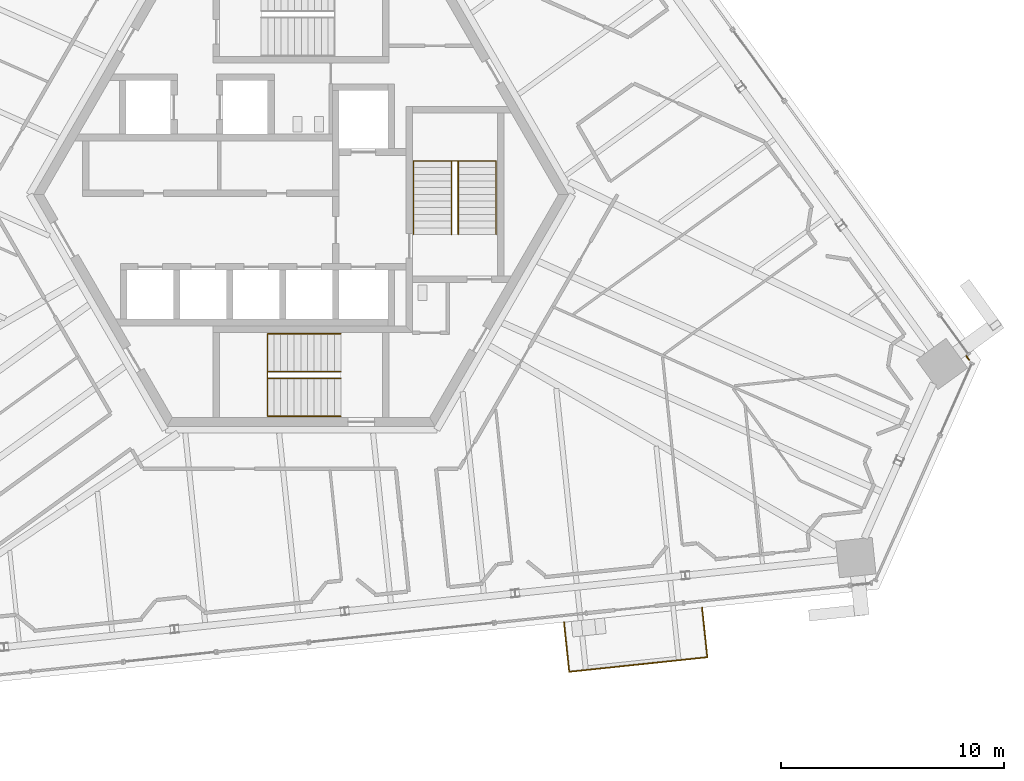
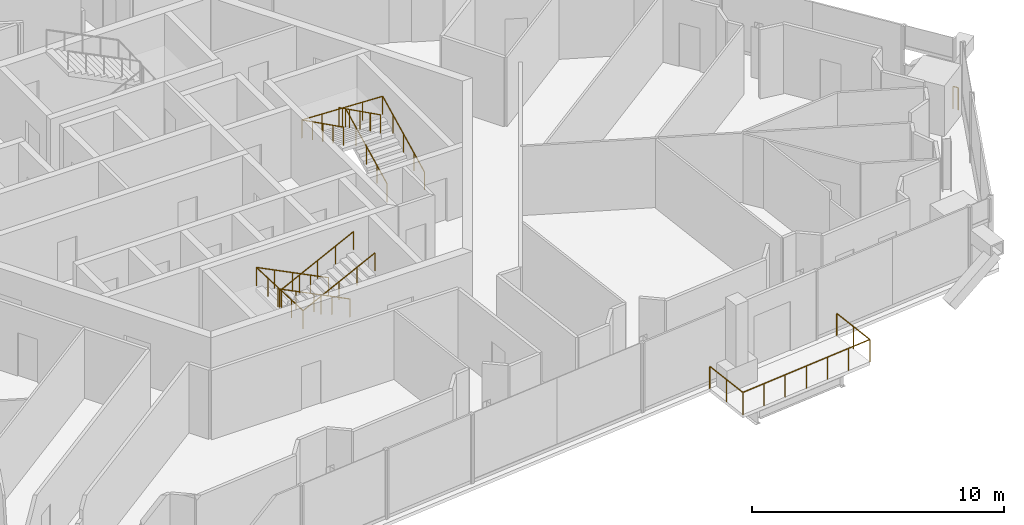
# One storey, part 22 of 26: 6 railings.
"""IFC4 building model written with IfcOpenShell, lengths in metres."""

from ifc_helpers import new_model, si_unit, direction, frame, origin, origin_2d, place, context, subcontext, project, spatial, circle, extrude, source, transform, mapped, material, type_object, element, save


model = new_model("IFC4")

# Units and contexts
model_context = context("Model", 3, precision=1e-05, world=origin(), true_north=direction((0.0, 1.0)))
body_context = subcontext(model_context, "Body", "Model", "MODEL_VIEW")
ifc_project = project(units=[si_unit("LENGTHUNIT", "METRE"), si_unit("AREAUNIT", "SQUARE_METRE"), si_unit("VOLUMEUNIT", "CUBIC_METRE"), si_unit("PLANEANGLEUNIT", "RADIAN"), si_unit("MASSUNIT", "GRAM", prefix="KILO")], contexts=[model_context])

# Site, building, storey
site_placement = place(None, origin())
site = spatial("IfcSite", under=ifc_project, at=site_placement, CompositionType="ELEMENT")
building_placement = place(site_placement, origin())
building = spatial("IfcBuilding", under=site, at=building_placement, Name="Triune Harvest Tower", CompositionType="ELEMENT")
storey_placement = place(building_placement, frame((0.0, 0.0, 252.10009765625)))
storey = spatial("IfcBuildingStorey", under=building, at=storey_placement, Name="L66", CompositionType="ELEMENT", Elevation=252.10009765625)

# Railings
ifc_material_1 = material(Name="Glass", Category="glass")
railing_type_1 = type_object("IfcRailingType", Name="GD-2 balcony guard 1100", PredefinedType="GUARDRAIL", material=ifc_material_1)
railing_1_placement = place(storey_placement, frame((11.791015625, -19.176025390625, 0.0)))
element("IfcRailing", 1, at=railing_1_placement, inside=storey, type_object=railing_type_1, Name="Balcony guard B6-F5 L66.9", PredefinedType="GUARDRAIL", context=body_context, shape_type="SweptSolid", body=[
    extrude(circle(Radius=0.02392578125, at=origin_2d()), frame((0.0, 0.0, 1.076171875), z_axis=(0.104565342096, -0.994518018556, 0.0), x_axis=(0.994518018556, 0.104565342096, 0.0)), (0.0, 0.0, 1.0), 2.234375),
    extrude(circle(Radius=0.02392578125, at=origin_2d()), frame((0.233642578125, -2.22216796875, 1.076171875), z_axis=(0.994522625436, 0.104521516908, 0.0), x_axis=(-0.104521516908, 0.994522625436, 0.0)), (0.0, 0.0, 1.0), 6.227294921875),
    extrude(circle(Radius=0.02392578125, at=origin_2d()), frame((6.4267578125, -1.5712890625, 1.076171875), z_axis=(-0.104553980762, 0.994519213041, 0.0), x_axis=(-0.994519213041, -0.104553980762, 0.0)), (0.0, 0.0, 1.0), 2.234619140625),
    extrude(circle(Radius=0.02099609375, at=origin_2d()), origin(), (0.0, 0.0, 1.0), 1.052001953125),
    extrude(circle(Radius=0.02099609375, at=origin_2d()), frame((0.11669921875, -1.111083984375, 0.0)), (0.0, 0.0, 1.0), 1.052001953125),
    extrude(circle(Radius=0.02099609375, at=origin_2d()), frame((0.233642578125, -2.22216796875, 0.0)), (0.0, 0.0, 1.0), 1.052001953125),
    extrude(circle(Radius=0.02099609375, at=origin_2d()), frame((1.265869140625, -2.11376953125, 0.0)), (0.0, 0.0, 1.0), 1.052001953125),
    extrude(circle(Radius=0.02099609375, at=origin_2d()), frame((2.298095703125, -2.005126953125, 0.0)), (0.0, 0.0, 1.0), 1.052001953125),
    extrude(circle(Radius=0.02099609375, at=origin_2d()), frame((3.330078125, -1.896728515625, 0.0)), (0.0, 0.0, 1.0), 1.052001953125),
    extrude(circle(Radius=0.02099609375, at=origin_2d()), frame((4.3623046875, -1.788330078125, 0.0)), (0.0, 0.0, 1.0), 1.052001953125),
    extrude(circle(Radius=0.02099609375, at=origin_2d()), frame((5.39453125, -1.6796875, 0.0)), (0.0, 0.0, 1.0), 1.052001953125),
    extrude(circle(Radius=0.02099609375, at=origin_2d()), frame((6.4267578125, -1.5712890625, 0.0)), (0.0, 0.0, 1.0), 1.052001953125),
    extrude(circle(Radius=0.02099609375, at=origin_2d()), frame((6.31005859375, -0.4599609375, 0.0)), (0.0, 0.0, 1.0), 1.052001953125),
    extrude(circle(Radius=0.02099609375, at=origin_2d()), frame((6.193115234375, 0.651123046875, 0.0)), (0.0, 0.0, 1.0), 1.052001953125),
])
ifc_material_2 = material(Name="Glass", Category="glass")
railing_type_2 = type_object("IfcRailingType", Name="GD-3 facade guard 1100", PredefinedType="GUARDRAIL", material=ifc_material_2)
railing_2_placement = place(storey_placement, frame((29.9619140625, -7.418212890625, 0.0)))
element("IfcRailing", 2, at=railing_2_placement, inside=storey, type_object=railing_type_2, Name="Facade guard B6-F1 L66.1.1", PredefinedType="GUARDRAIL", context=body_context, shape_type="SweptSolid", body=[
    extrude(circle(Radius=0.02392578125, at=origin_2d()), frame((0.0, 0.0, 1.076171875), z_axis=(-0.587531690955, 0.809201156773, 0.0), x_axis=(-0.809201156773, -0.587531690955, 0.0)), (0.0, 0.0, 1.0), 0.226806640625),
    extrude(circle(Radius=0.02099609375, at=origin_2d()), origin(), (0.0, 0.0, 1.0), 1.052001953125),
    extrude(circle(Radius=0.02099609375, at=origin_2d()), frame((-0.13330078125, 0.18359375, 0.0)), (0.0, 0.0, 1.0), 1.052001953125),
])
ifc_material_3 = material(Name="Stainless steel AISI 316", Category="steel")
railing_type_3 = type_object("IfcRailingType", Name="Stair handrail", PredefinedType="HANDRAIL", material=ifc_material_3)
shared_shape_1 = source(origin(), body_context, "Body", "SweptSolid", [
    extrude(circle(Radius=0.02392578125, at=origin_2d()), frame((0.0, 0.0, 0.8759765625), z_axis=(-0.894440424912, 0.0, 0.447187126696), x_axis=(0.0, -1.0, 0.0)), (0.0, 0.0, 1.0), 3.689453125),
    extrude(circle(Radius=0.02392578125, at=origin_2d()), frame((-3.300048828125, 0.0, 2.52587890625), z_axis=(0.0, -0.999177620331, 0.040547293732), x_axis=(1.0, 0.0, 0.0)), (0.0, 0.0, 1.0), 3.702880859375),
    extrude(circle(Radius=0.02392578125, at=origin_2d()), frame((-3.300048828125, -3.699951171875, 2.67578125), z_axis=(0.894440424912, 0.0, 0.447187126696), x_axis=(0.0, 1.0, 0.0)), (0.0, 0.0, 1.0), 3.689453125),
    extrude(circle(Radius=0.02099609375, at=origin_2d()), origin(), (0.0, 0.0, 1.0), 0.851806640625),
    extrude(circle(Radius=0.02099609375, at=origin_2d()), frame((-0.824951171875, 0.0, 0.41259765625)), (0.0, 0.0, 1.0), 0.851806640625),
    extrude(circle(Radius=0.02099609375, at=origin_2d()), frame((-1.64990234375, 0.0, 0.824951171875)), (0.0, 0.0, 1.0), 0.851806640625),
    extrude(circle(Radius=0.02099609375, at=origin_2d()), frame((-2.47509765625, 0.0, 1.2373046875)), (0.0, 0.0, 1.0), 0.851806640625),
    extrude(circle(Radius=0.02099609375, at=origin_2d()), frame((-3.300048828125, 0.0, 1.64990234375)), (0.0, 0.0, 1.0), 0.851806640625),
    extrude(circle(Radius=0.02099609375, at=origin_2d()), frame((-3.300048828125, -0.925048828125, 1.6875)), (0.0, 0.0, 1.0), 0.851806640625),
    extrude(circle(Radius=0.02099609375, at=origin_2d()), frame((-3.300048828125, -1.85009765625, 1.72509765625)), (0.0, 0.0, 1.0), 0.851806640625),
    extrude(circle(Radius=0.02099609375, at=origin_2d()), frame((-3.300048828125, -2.77490234375, 1.762451171875)), (0.0, 0.0, 1.0), 0.851806640625),
    extrude(circle(Radius=0.02099609375, at=origin_2d()), frame((-3.300048828125, -3.699951171875, 1.800048828125)), (0.0, 0.0, 1.0), 0.851806640625),
    extrude(circle(Radius=0.02099609375, at=origin_2d()), frame((-2.47509765625, -3.699951171875, 2.21240234375)), (0.0, 0.0, 1.0), 0.851806640625),
    extrude(circle(Radius=0.02099609375, at=origin_2d()), frame((-1.64990234375, -3.699951171875, 2.625)), (0.0, 0.0, 1.0), 0.851806640625),
    extrude(circle(Radius=0.02099609375, at=origin_2d()), frame((-0.824951171875, -3.699951171875, 3.03759765625)), (0.0, 0.0, 1.0), 0.851806640625),
    extrude(circle(Radius=0.02099609375, at=origin_2d()), frame((0.0, -3.699951171875, 3.449951171875)), (0.0, 0.0, 1.0), 0.851806640625),
])
railing_3_placement = place(storey_placement, frame((1.7900390625, -6.239990234375, 0.14990234375)))
element("IfcRailing", 3, at=railing_3_placement, inside=storey, type_object=railing_type_3, Name="Exit stair south wall handrail", PredefinedType="HANDRAIL", context=body_context, shape_type="MappedRepresentation", body=[
    mapped(shared_shape_1, transform((0.0, 0.0, 0.0), scale=1.0)),
])
shared_shape_2 = source(origin(), body_context, "Body", "SweptSolid", [
    extrude(circle(Radius=0.02392578125, at=origin_2d()), frame((0.0, 0.0, 0.8759765625), z_axis=(-0.894440424912, 0.0, 0.447187126696), x_axis=(0.0, -1.0, 0.0)), (0.0, 0.0, 1.0), 3.689453125),
    extrude(circle(Radius=0.02392578125, at=origin_2d()), frame((-3.300048828125, 0.0, 2.52587890625), z_axis=(0.0, -0.894281613681, 0.447504631744), x_axis=(1.0, 0.0, 0.0)), (0.0, 0.0, 1.0), 0.33544921875),
    extrude(circle(Radius=0.02392578125, at=origin_2d()), frame((-3.300048828125, -0.300048828125, 2.67578125), z_axis=(0.894440424912, 0.0, 0.447187126696), x_axis=(0.0, 1.0, 0.0)), (0.0, 0.0, 1.0), 3.689453125),
    extrude(circle(Radius=0.02099609375, at=origin_2d()), origin(), (0.0, 0.0, 1.0), 0.851806640625),
    extrude(circle(Radius=0.02099609375, at=origin_2d()), frame((-0.824951171875, 0.0, 0.41259765625)), (0.0, 0.0, 1.0), 0.851806640625),
    extrude(circle(Radius=0.02099609375, at=origin_2d()), frame((-1.64990234375, 0.0, 0.824951171875)), (0.0, 0.0, 1.0), 0.851806640625),
    extrude(circle(Radius=0.02099609375, at=origin_2d()), frame((-2.47509765625, 0.0, 1.2373046875)), (0.0, 0.0, 1.0), 0.851806640625),
    extrude(circle(Radius=0.02099609375, at=origin_2d()), frame((-3.300048828125, 0.0, 1.64990234375)), (0.0, 0.0, 1.0), 0.851806640625),
    extrude(circle(Radius=0.02099609375, at=origin_2d()), frame((-3.300048828125, -0.300048828125, 1.800048828125)), (0.0, 0.0, 1.0), 0.851806640625),
    extrude(circle(Radius=0.02099609375, at=origin_2d()), frame((-2.47509765625, -0.300048828125, 2.21240234375)), (0.0, 0.0, 1.0), 0.851806640625),
    extrude(circle(Radius=0.02099609375, at=origin_2d()), frame((-1.64990234375, -0.300048828125, 2.625)), (0.0, 0.0, 1.0), 0.851806640625),
    extrude(circle(Radius=0.02099609375, at=origin_2d()), frame((-0.824951171875, -0.300048828125, 3.03759765625)), (0.0, 0.0, 1.0), 0.851806640625),
    extrude(circle(Radius=0.02099609375, at=origin_2d()), frame((0.0, -0.300048828125, 3.449951171875)), (0.0, 0.0, 1.0), 0.851806640625),
])
railing_4_placement = place(storey_placement, frame((1.7900390625, -7.93994140625, 0.14990234375)))
element("IfcRailing", 4, at=railing_4_placement, inside=storey, type_object=railing_type_3, Name="Exit stair south centre handrail", PredefinedType="HANDRAIL", context=body_context, shape_type="MappedRepresentation", body=[
    mapped(shared_shape_2, transform((0.0, 0.0, 0.0), scale=1.0)),
])
shared_shape_3 = source(origin(), body_context, "Body", "SweptSolid", [
    extrude(circle(Radius=0.02392578125, at=origin_2d()), frame((0.0, 0.0, 0.8759765625), z_axis=(0.0, 0.894440424912, 0.447187126696), x_axis=(-1.0, 0.0, 0.0)), (0.0, 0.0, 1.0), 3.689453125),
    extrude(circle(Radius=0.02392578125, at=origin_2d()), frame((0.0, 3.300048828125, 2.52587890625), z_axis=(-0.999177620331, 0.0, 0.040547293732), x_axis=(0.0, -1.0, 0.0)), (0.0, 0.0, 1.0), 3.702880859375),
    extrude(circle(Radius=0.02392578125, at=origin_2d()), frame((-3.699951171875, 3.300048828125, 2.67578125), z_axis=(0.0, -0.894440424912, 0.447187126696), x_axis=(1.0, 0.0, 0.0)), (0.0, 0.0, 1.0), 3.689453125),
    extrude(circle(Radius=0.02099609375, at=origin_2d()), origin(), (0.0, 0.0, 1.0), 0.851806640625),
    extrude(circle(Radius=0.02099609375, at=origin_2d()), frame((0.0, 0.824951171875, 0.41259765625)), (0.0, 0.0, 1.0), 0.851806640625),
    extrude(circle(Radius=0.02099609375, at=origin_2d()), frame((0.0, 1.64990234375, 0.824951171875)), (0.0, 0.0, 1.0), 0.851806640625),
    extrude(circle(Radius=0.02099609375, at=origin_2d()), frame((0.0, 2.47509765625, 1.2373046875)), (0.0, 0.0, 1.0), 0.851806640625),
    extrude(circle(Radius=0.02099609375, at=origin_2d()), frame((0.0, 3.300048828125, 1.64990234375)), (0.0, 0.0, 1.0), 0.851806640625),
    extrude(circle(Radius=0.02099609375, at=origin_2d()), frame((-0.925048828125, 3.300048828125, 1.6875)), (0.0, 0.0, 1.0), 0.851806640625),
    extrude(circle(Radius=0.02099609375, at=origin_2d()), frame((-1.85009765625, 3.300048828125, 1.72509765625)), (0.0, 0.0, 1.0), 0.851806640625),
    extrude(circle(Radius=0.02099609375, at=origin_2d()), frame((-2.77490234375, 3.300048828125, 1.762451171875)), (0.0, 0.0, 1.0), 0.851806640625),
    extrude(circle(Radius=0.02099609375, at=origin_2d()), frame((-3.699951171875, 3.300048828125, 1.800048828125)), (0.0, 0.0, 1.0), 0.851806640625),
    extrude(circle(Radius=0.02099609375, at=origin_2d()), frame((-3.699951171875, 2.47509765625, 2.21240234375)), (0.0, 0.0, 1.0), 0.851806640625),
    extrude(circle(Radius=0.02099609375, at=origin_2d()), frame((-3.699951171875, 1.64990234375, 2.625)), (0.0, 0.0, 1.0), 0.851806640625),
    extrude(circle(Radius=0.02099609375, at=origin_2d()), frame((-3.699951171875, 0.824951171875, 3.03759765625)), (0.0, 0.0, 1.0), 0.851806640625),
    extrude(circle(Radius=0.02099609375, at=origin_2d()), frame((-3.699951171875, 0.0, 3.449951171875)), (0.0, 0.0, 1.0), 0.851806640625),
])
railing_5_placement = place(storey_placement, frame((8.75, -1.7900390625, 0.14990234375)))
element("IfcRailing", 5, at=railing_5_placement, inside=storey, type_object=railing_type_3, Name="Exit stair east wall handrail", PredefinedType="HANDRAIL", context=body_context, shape_type="MappedRepresentation", body=[
    mapped(shared_shape_3, transform((0.0, 0.0, 0.0), scale=1.0)),
])
shared_shape_4 = source(origin(), body_context, "Body", "SweptSolid", [
    extrude(circle(Radius=0.02392578125, at=origin_2d()), frame((0.0, 0.0, 0.8759765625), z_axis=(0.0, 0.894440424912, 0.447187126696), x_axis=(-1.0, 0.0, 0.0)), (0.0, 0.0, 1.0), 3.689453125),
    extrude(circle(Radius=0.02392578125, at=origin_2d()), frame((0.0, 3.300048828125, 2.52587890625), z_axis=(-0.894281613681, 0.0, 0.447504631744), x_axis=(0.0, -1.0, 0.0)), (0.0, 0.0, 1.0), 0.33544921875),
    extrude(circle(Radius=0.02392578125, at=origin_2d()), frame((-0.300048828125, 3.300048828125, 2.67578125), z_axis=(0.0, -0.894440424912, 0.447187126696), x_axis=(1.0, 0.0, 0.0)), (0.0, 0.0, 1.0), 3.689453125),
    extrude(circle(Radius=0.02099609375, at=origin_2d()), origin(), (0.0, 0.0, 1.0), 0.851806640625),
    extrude(circle(Radius=0.02099609375, at=origin_2d()), frame((0.0, 0.824951171875, 0.41259765625)), (0.0, 0.0, 1.0), 0.851806640625),
    extrude(circle(Radius=0.02099609375, at=origin_2d()), frame((0.0, 1.64990234375, 0.824951171875)), (0.0, 0.0, 1.0), 0.851806640625),
    extrude(circle(Radius=0.02099609375, at=origin_2d()), frame((0.0, 2.47509765625, 1.2373046875)), (0.0, 0.0, 1.0), 0.851806640625),
    extrude(circle(Radius=0.02099609375, at=origin_2d()), frame((0.0, 3.300048828125, 1.64990234375)), (0.0, 0.0, 1.0), 0.851806640625),
    extrude(circle(Radius=0.02099609375, at=origin_2d()), frame((-0.300048828125, 3.300048828125, 1.800048828125)), (0.0, 0.0, 1.0), 0.851806640625),
    extrude(circle(Radius=0.02099609375, at=origin_2d()), frame((-0.300048828125, 2.47509765625, 2.21240234375)), (0.0, 0.0, 1.0), 0.851806640625),
    extrude(circle(Radius=0.02099609375, at=origin_2d()), frame((-0.300048828125, 1.64990234375, 2.625)), (0.0, 0.0, 1.0), 0.851806640625),
    extrude(circle(Radius=0.02099609375, at=origin_2d()), frame((-0.300048828125, 0.824951171875, 3.03759765625)), (0.0, 0.0, 1.0), 0.851806640625),
    extrude(circle(Radius=0.02099609375, at=origin_2d()), frame((-0.300048828125, 0.0, 3.449951171875)), (0.0, 0.0, 1.0), 0.851806640625),
])
railing_6_placement = place(storey_placement, frame((7.050048828125, -1.7900390625, 0.14990234375)))
element("IfcRailing", 6, at=railing_6_placement, inside=storey, type_object=railing_type_3, Name="Exit stair east centre handrail", PredefinedType="HANDRAIL", context=body_context, shape_type="MappedRepresentation", body=[
    mapped(shared_shape_4, transform((0.0, 0.0, 0.0), scale=1.0)),
])

save(model, "model.ifc")
